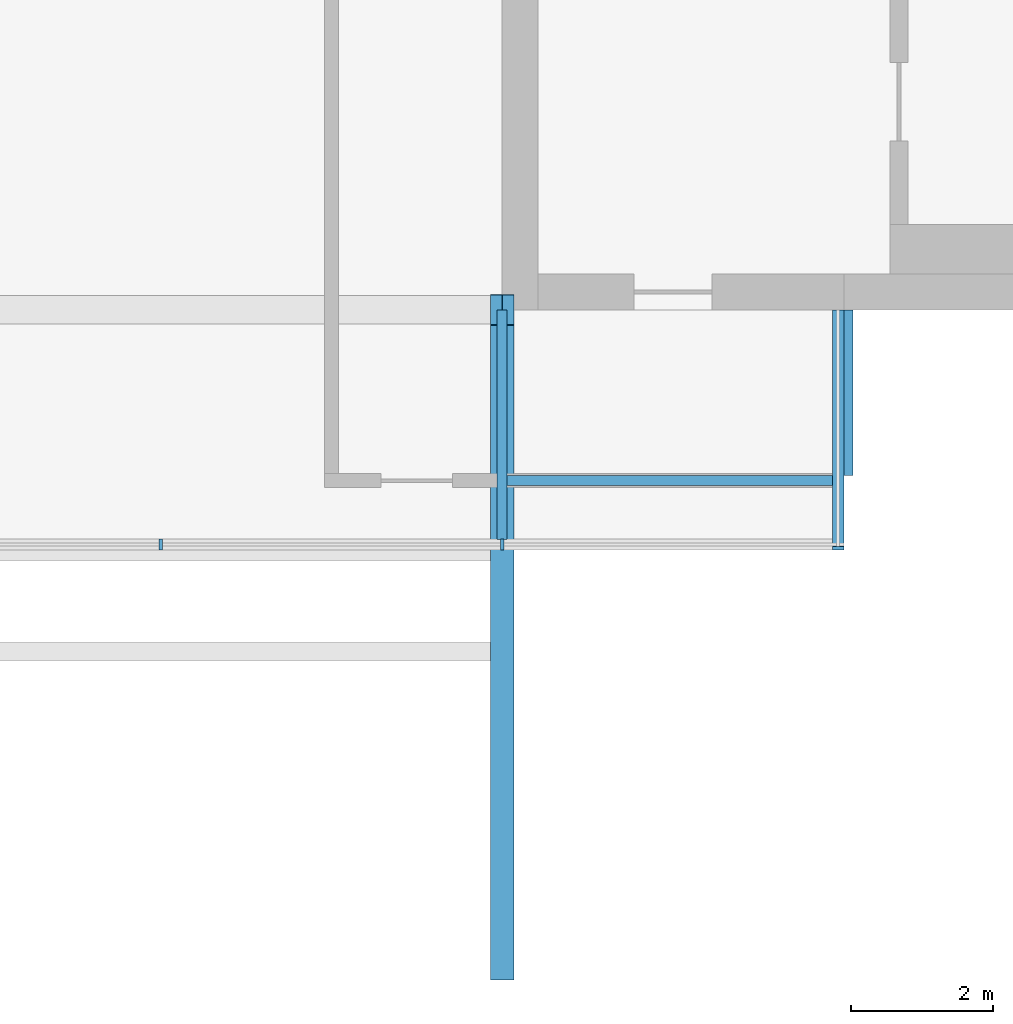
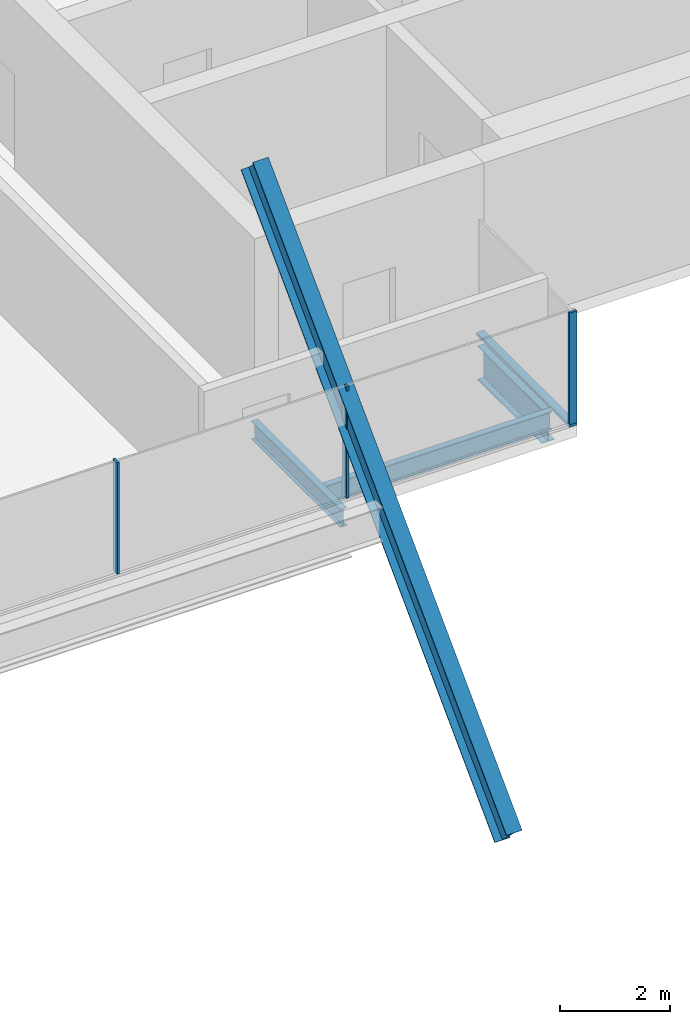
# One storey, part 4 of 11: 4 beams, 4 members, 2 elements without a shape of their own.
"""IFC4 building model written with IfcOpenShell, lengths in metres."""

from ifc_helpers import new_model, si_unit, direction, frame, origin, origin_2d, place, context, subcontext, project, spatial, rectangle, i_section, extrude, material, material_profile, profile_set, type_object, element, aggregate, save


model = new_model("IFC4")

# Units and contexts
model_context = context("Model", 3, precision=1e-05, world=origin(), true_north=direction((0.0, 1.0)))
body_context = subcontext(model_context, "Body", "Model", "MODEL_VIEW")
ifc_project = project(units=[si_unit("LENGTHUNIT", "METRE"), si_unit("AREAUNIT", "SQUARE_METRE"), si_unit("VOLUMEUNIT", "CUBIC_METRE"), si_unit("PLANEANGLEUNIT", "RADIAN"), si_unit("MASSUNIT", "GRAM", prefix="KILO")], contexts=[model_context])

# Site, building, storey
site_placement = place(None, origin())
site = spatial("IfcSite", under=ifc_project, at=site_placement, CompositionType="ELEMENT")
building_placement = place(site_placement, origin())
building = spatial("IfcBuilding", under=site, at=building_placement, Name="Baori Bourse Tower", CompositionType="ELEMENT")
storey_placement = place(building_placement, frame((0.0, 0.0, 366.300048828125)))
storey = spatial("IfcBuildingStorey", under=building, at=storey_placement, Name="L82", CompositionType="ELEMENT", Elevation=366.300048828125)

# Curtain wall, member
ifc_material_1 = material(Name="Pale anodised aluminium", Category="aluminium")
curtain_wall_type = type_object("IfcCurtainWallType", Name="CW3 Curtain wall", PredefinedType="NOTDEFINED", material=ifc_material_1)
curtain_wall_1_placement = place(storey_placement, origin())
curtain_wall_1 = element("IfcCurtainWall", 1, at=curtain_wall_1_placement, inside=storey, type_object=curtain_wall_type, Name="Curtain wall CW3 L82 1", PredefinedType="NOTDEFINED")
ifc_material_2 = material(Name="Pale anodised aluminium", Category="aluminium")
ifc_material_profile_1 = material_profile(ifc_material_2, rectangle(XDim=0.159912109375, YDim=0.050048828125, at=origin_2d()), Name="Mullion 50x160")
ifc_profile_set_1 = profile_set([ifc_material_profile_1], Name="Pale anodised aluminium")
member_type_1 = type_object("IfcMemberType", Name="CW3 Curtain wall mullion", PredefinedType="MULLION", material=ifc_profile_set_1)
member_1_placement = place(storey_placement, frame((43.1201171875, 6.247314453125, 0.06005859375), z_axis=(0.0, 0.0, 1.0), x_axis=(-1.0, 0.0, 0.0)))
member_1 = element("IfcMember", 2, at=member_1_placement, type_object=member_type_1, Name="Curtain wall CW3 mullion", PredefinedType="MULLION", context=body_context, shape_type="SweptSolid", body=[
    extrude(rectangle(XDim=0.159912109375, YDim=0.050048828125, at=origin_2d()), origin(), (0.0, 0.0, 1.0), 2.469970703125),
])

# Curtain wall, members
curtain_wall_2_placement = place(storey_placement, origin())
curtain_wall_2 = element("IfcCurtainWall", 3, at=curtain_wall_2_placement, inside=storey, type_object=curtain_wall_type, Name="Curtain wall CW3 L82 11", PredefinedType="NOTDEFINED")
member_2_placement = place(storey_placement, frame((33.60009765625, 6.30224609375, 0.06005859375), z_axis=(0.0, 0.0, 1.0), x_axis=(0.0, 1.0, 0.0)))
member_2 = element("IfcMember", 4, at=member_2_placement, type_object=member_type_1, Name="Curtain wall CW3 mullion", PredefinedType="MULLION", context=body_context, shape_type="SweptSolid", body=[
    extrude(rectangle(XDim=0.159912109375, YDim=0.050048828125, at=origin_2d()), origin(), (0.0, 0.0, 1.0), 2.469970703125),
])
member_3_placement = place(storey_placement, frame((38.39990234375, 6.30224609375, 0.06005859375), z_axis=(0.0, 0.0, 1.0), x_axis=(0.0, 1.0, 0.0)))
member_3 = element("IfcMember", 5, at=member_3_placement, type_object=member_type_1, Name="Curtain wall CW3 mullion", PredefinedType="MULLION", context=body_context, shape_type="SweptSolid", body=[
    extrude(rectangle(XDim=0.159912109375, YDim=0.050048828125, at=origin_2d()), origin(), (0.0, 0.0, 1.0), 2.469970703125),
])
aggregate(curtain_wall_2, [member_2, member_3])

# Member
ifc_material_3 = material(Name="Pale anodised aluminium", Category="aluminium")
ifc_material_profile_2 = material_profile(ifc_material_3, rectangle(XDim=0.159912109375, YDim=0.06005859375, at=origin_2d()), Name="Transom 60x160")
ifc_profile_set_2 = profile_set([ifc_material_profile_2], Name="Pale anodised aluminium")
member_type_2 = type_object("IfcMemberType", Name="CW3 Curtain wall transom", PredefinedType="USERDEFINED", material=ifc_profile_set_2)
member_4_placement = place(storey_placement, frame((43.1201171875, 6.22216796875, 0.030029296875), z_axis=(0.0, 1.0, 0.0), x_axis=(-1.0, 0.0, 0.0)))
member_4 = element("IfcMember", 6, at=member_4_placement, type_object=member_type_2, Name="Curtain wall CW3 sill rail", ObjectType="TRANSOM", PredefinedType="USERDEFINED", context=body_context, shape_type="SweptSolid", body=[
    extrude(rectangle(XDim=0.159912109375, YDim=0.06005859375, at=origin_2d()), origin(), (0.0, 0.0, 1.0), 3.3779296875),
])

aggregate(curtain_wall_1, [member_4, member_1])

# Beams
ifc_material_4 = material(Name="Steel A992 Gr 50", Category="steel")
ifc_material_profile_3 = material_profile(ifc_material_4, i_section(OverallWidth=0.26416015625, OverallDepth=0.749267578125, WebThickness=0.011962890625, FlangeThickness=0.015380859375, at=origin_2d()), Name="W30x90")
ifc_profile_set_3 = profile_set([ifc_material_profile_3], Name="Steel A992 Gr 50")
beam_type_1 = type_object("IfcBeamType", Name="Core bracket W30x90", PredefinedType="BEAM", material=ifc_profile_set_3)
beam_1_placement = place(storey_placement, frame((43.199951171875, 7.270263671875, -0.624755859375), z_axis=(0.0, 1.0, 0.0), x_axis=(-1.0, 0.0, 0.0)))
element("IfcBeam", 7, at=beam_1_placement, inside=storey, type_object=beam_type_1, Name="Core bracket L82", PredefinedType="BEAM", context=body_context, shape_type="SweptSolid", body=[
    extrude(i_section(OverallWidth=0.26416015625, OverallDepth=0.749267578125, WebThickness=0.011962890625, FlangeThickness=0.015380859375, at=origin_2d()), origin(), (0.0, 0.0, 1.0), 2.329833984375),
])
ifc_material_5 = material(Name="Steel A992 Gr 50", Category="steel")
ifc_material_profile_4 = material_profile(ifc_material_5, i_section(OverallWidth=0.140380859375, OverallDepth=0.40380859375, WebThickness=0.007080078125, FlangeThickness=0.01123046875, at=origin_2d()), Name="W16x31")
ifc_profile_set_4 = profile_set([ifc_material_profile_4], Name="Steel A992 Gr 50")
beam_type_2 = type_object("IfcBeamType", Name="Girder W16x31", PredefinedType="BEAM", material=ifc_profile_set_4)
beam_2_placement = place(storey_placement, frame((38.39990234375, 6.37451171875, -0.451904296875), z_axis=(0.0, 1.0, 0.0), x_axis=(-1.0, 0.0, 0.0)))
element("IfcBeam", 8, at=beam_2_placement, inside=storey, type_object=beam_type_2, Name="Girder L82", PredefinedType="BEAM", context=body_context, shape_type="SweptSolid", body=[
    extrude(i_section(OverallWidth=0.140380859375, OverallDepth=0.40380859375, WebThickness=0.007080078125, FlangeThickness=0.01123046875, at=origin_2d()), origin(), (0.0, 0.0, 1.0), 3.2255859375),
])
ifc_material_6 = material(Name="Steel A992 Gr 50", Category="steel")
ifc_material_profile_5 = material_profile(ifc_material_6, i_section(OverallWidth=0.3251953125, OverallDepth=0.612060546875, WebThickness=0.0126953125, FlangeThickness=0.01904296875, at=origin_2d()), Name="W24x104")
ifc_profile_set_5 = profile_set([ifc_material_profile_5], Name="Steel A992 Gr 50")
beam_type_3 = type_object("IfcBeamType", Name="Rafter W24x104", PredefinedType="BEAM", material=ifc_profile_set_5)
beam_3_placement = place(storey_placement, frame((38.39990234375, 0.39990234375, -3.8935546875), z_axis=(0.0, 0.702711048158, 0.711475356422), x_axis=(-1.0, 0.0, 0.0)))
element("IfcBeam", 9, at=beam_3_placement, inside=storey, type_object=beam_type_3, Name="Rafter Roof", PredefinedType="BEAM", context=body_context, shape_type="SweptSolid", body=[
    extrude(i_section(OverallWidth=0.3251953125, OverallDepth=0.612060546875, WebThickness=0.0126953125, FlangeThickness=0.01904296875, at=origin_2d()), origin(), (0.0, 0.0, 1.0), 13.092529296875),
])
ifc_material_7 = material(Name="Steel A992 Gr 50", Category="steel")
ifc_material_profile_6 = material_profile(ifc_material_7, i_section(OverallWidth=0.140380859375, OverallDepth=0.40380859375, WebThickness=0.007080078125, FlangeThickness=0.01123046875, at=origin_2d()), Name="W16x31")
ifc_profile_set_6 = profile_set([ifc_material_profile_6], Name="Steel A992 Gr 50")
beam_type_4 = type_object("IfcBeamType", Name="Trimmer beam W16x31", PredefinedType="BEAM", material=ifc_profile_set_6)
beam_4_placement = place(storey_placement, frame((38.47021484375, 7.199951171875, -0.451904296875), z_axis=(1.0, 0.0, 0.0), x_axis=(0.0, 1.0, 0.0)))
element("IfcBeam", 10, at=beam_4_placement, inside=storey, type_object=beam_type_4, Name="Trimmer beam L82", PredefinedType="BEAM", context=body_context, shape_type="SweptSolid", body=[
    extrude(i_section(OverallWidth=0.140380859375, OverallDepth=0.40380859375, WebThickness=0.007080078125, FlangeThickness=0.01123046875, at=origin_2d()), origin(), (0.0, 0.0, 1.0), 4.729736328125),
])

save(model, "model.ifc")
